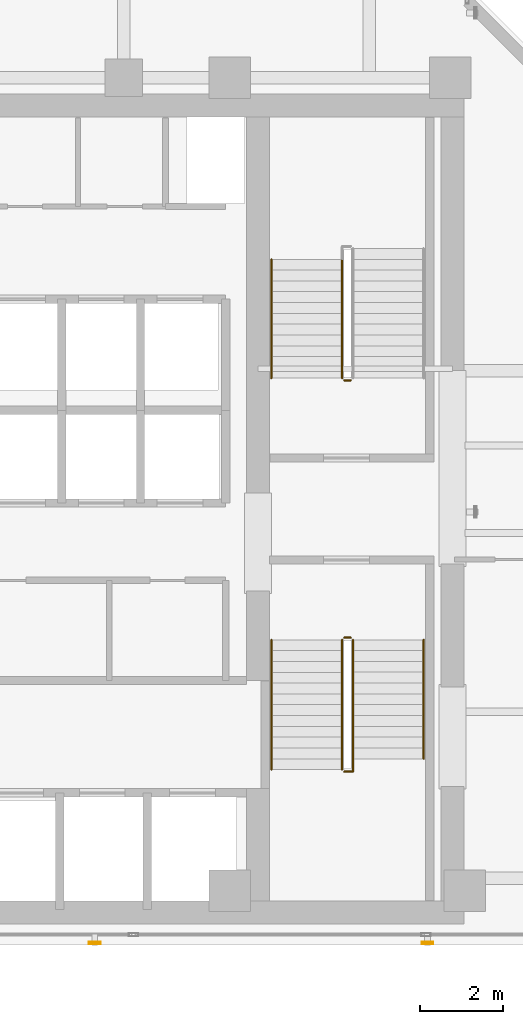
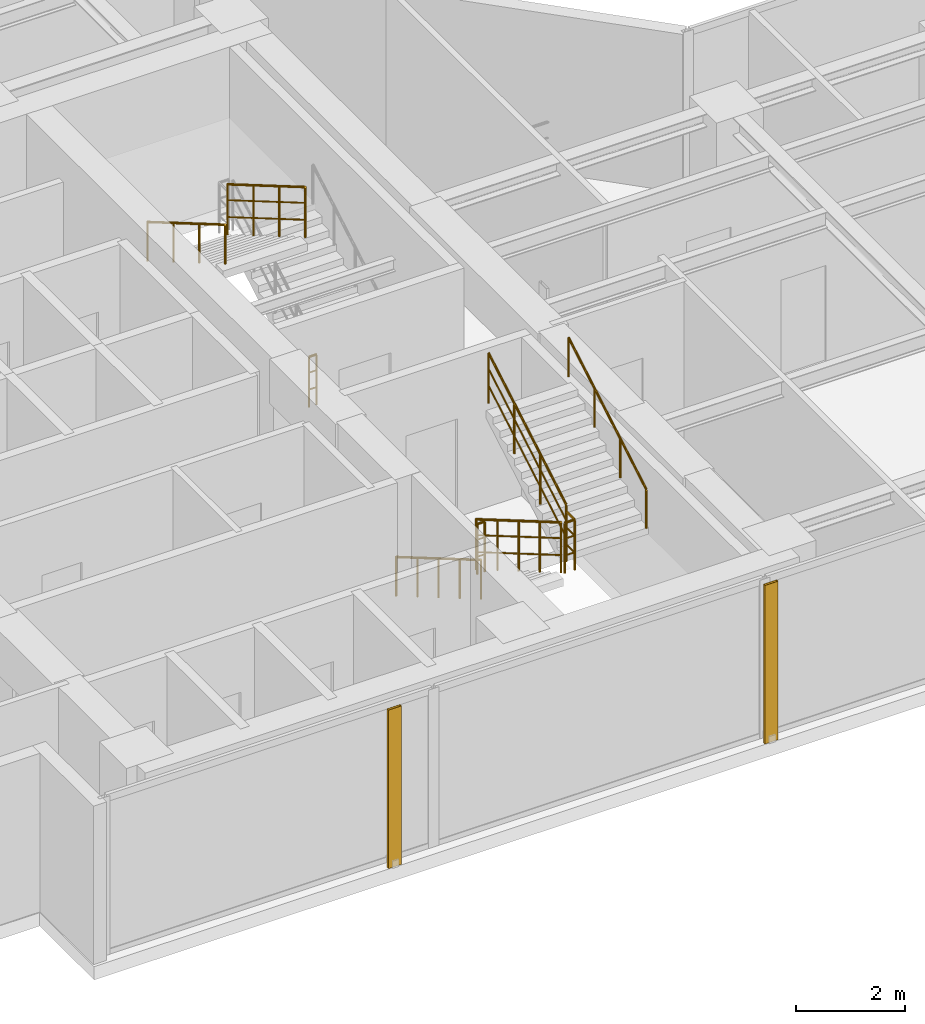
# One storey, part 20 of 25: 9 railings, 2 shading devices.
"""IFC4 building model written with IfcOpenShell, lengths in metres."""

from ifc_helpers import new_model, si_unit, direction, frame, origin, origin_2d, place, context, subcontext, project, spatial, hollow_rectangle, circle, extrude, material, material_profile, profile_set, type_object, element, save


model = new_model("IFC4")

# Units and contexts
model_context = context("Model", 3, precision=1e-05, world=origin(), true_north=direction((0.0, 1.0)))
body_context = subcontext(model_context, "Body", "Model", "MODEL_VIEW")
ifc_project = project(units=[si_unit("LENGTHUNIT", "METRE"), si_unit("AREAUNIT", "SQUARE_METRE"), si_unit("VOLUMEUNIT", "CUBIC_METRE"), si_unit("PLANEANGLEUNIT", "RADIAN"), si_unit("MASSUNIT", "GRAM", prefix="KILO")], contexts=[model_context])

# Site, building, storey
site_placement = place(None, origin())
site = spatial("IfcSite", under=ifc_project, at=site_placement, CompositionType="ELEMENT")
building_placement = place(site_placement, origin())
building = spatial("IfcBuilding", under=site, at=building_placement, Name="Kolvaren Waterfront Exchange", CompositionType="ELEMENT")
storey_placement = place(building_placement, frame((0.0, 0.0, 223.5)))
storey = spatial("IfcBuildingStorey", under=building, at=storey_placement, Name="L57", CompositionType="ELEMENT", Elevation=223.5)

# Shading devices
ifc_material_1 = material(Name="Anodised bronze aluminium 6063-T6", Category="aluminium")
ifc_material_profile = material_profile(ifc_material_1, hollow_rectangle(XDim=0.054931640625, YDim=0.280029296875, WallThickness=0.00439453125, at=origin_2d()), Name="BRZ-FIN-280x55x4.5")
ifc_profile_set = profile_set([ifc_material_profile], Name="Anodised bronze aluminium 6063-T6")
shading_device_type = type_object("IfcShadingDeviceType", Name="ARC-FIN-280", PredefinedType="USERDEFINED", material=ifc_profile_set)
for number, where, z_axis, x_axis, name in (
    (1, (12.199951171875, 3.639892578125, 0.0), (0.0, 0.0, 1.0), (0.0, -1.0, 0.0), "L57 anodised bronze solar shading fin FIN-L57-S1"),
    (2, (20.199951171875, 3.639892578125, 0.0), (0.0, 0.0, 1.0), (0.0, -1.0, 0.0), "L57 anodised bronze solar shading fin FIN-L57-S2"),
):
    element("IfcShadingDevice", number, at=place(storey_placement, frame(where, z_axis=z_axis, x_axis=x_axis)), inside=storey, type_object=shading_device_type, Name=name, ObjectType="SOLAR FIN", PredefinedType="USERDEFINED", context=body_context, shape_type="SweptSolid", body=[
        extrude(hollow_rectangle(XDim=0.054931640625, YDim=0.280029296875, WallThickness=0.00439453125, at=origin_2d()), origin(), (0.0, 0.0, 1.0), 3.56005859375),
    ])

# Railings
ifc_material_2 = material(Name="Stainless steel 316", Category="steel")
railing_type_1 = type_object("IfcRailingType", Name="ARC-GUARD-STAIR", PredefinedType="GUARDRAIL", material=ifc_material_2)
railing_1_placement = place(storey_placement, frame((18.14990234375, 10.929931640625, 0.152099609375)))
element("IfcRailing", 3, at=railing_1_placement, inside=storey, type_object=railing_type_1, Name="L57 ST1 stair guard 1", PredefinedType="GUARDRAIL", context=body_context, shape_type="SweptSolid", body=[
    extrude(circle(Radius=0.02392578125, at=origin_2d()), frame((0.0, 0.0, 1.1259765625), z_axis=(0.0, -0.86329090724, 0.504706656858), x_axis=(1.0, 0.0, 0.0)), (0.0, 0.0, 1.0), 3.614013671875),
    extrude(circle(Radius=0.01611328125, at=origin_2d()), frame((0.0, 0.0, 0.390869140625), z_axis=(0.0, -0.86329090724, 0.504706656858), x_axis=(1.0, 0.0, 0.0)), (0.0, 0.0, 1.0), 3.614013671875),
    extrude(circle(Radius=0.01611328125, at=origin_2d()), frame((0.0, 0.0, 0.7705078125), z_axis=(0.0, -0.86329090724, 0.504706656858), x_axis=(1.0, 0.0, 0.0)), (0.0, 0.0, 1.0), 3.614013671875),
    extrude(circle(Radius=0.02099609375, at=origin_2d()), origin(), (0.0, 0.0, 1.0), 1.101806640625),
    extrude(circle(Radius=0.02099609375, at=origin_2d()), frame((0.0, -0.780029296875, 0.4560546875)), (0.0, 0.0, 1.0), 1.101806640625),
    extrude(circle(Radius=0.02099609375, at=origin_2d()), frame((0.0, -1.56005859375, 0.912109375)), (0.0, 0.0, 1.0), 1.101806640625),
    extrude(circle(Radius=0.02099609375, at=origin_2d()), frame((0.0, -2.33984375, 1.367919921875)), (0.0, 0.0, 1.0), 1.101806640625),
    extrude(circle(Radius=0.02099609375, at=origin_2d()), frame((0.0, -3.119873046875, 1.823974609375)), (0.0, 0.0, 1.0), 1.101806640625),
])
railing_2_placement = place(storey_placement, frame((18.199951171875, 7.760009765625, 1.97607421875)))
element("IfcRailing", 4, at=railing_2_placement, inside=storey, type_object=railing_type_1, Name="L57 ST1 stair guard 2", PredefinedType="GUARDRAIL", context=body_context, shape_type="SweptSolid", body=[
    extrude(circle(Radius=0.02392578125, at=origin_2d()), frame((0.0, 0.0, 1.1259765625), z_axis=(1.0, 0.0, 0.0), x_axis=(0.0, 1.0, 0.0)), (0.0, 0.0, 1.0), 0.2099609375),
    extrude(circle(Radius=0.01611328125, at=origin_2d()), frame((0.0, 0.0, 0.390869140625), z_axis=(1.0, 0.0, 0.0), x_axis=(0.0, 1.0, 0.0)), (0.0, 0.0, 1.0), 0.2099609375),
    extrude(circle(Radius=0.01611328125, at=origin_2d()), frame((0.0, 0.0, 0.7705078125), z_axis=(1.0, 0.0, 0.0), x_axis=(0.0, 1.0, 0.0)), (0.0, 0.0, 1.0), 0.2099609375),
    extrude(circle(Radius=0.02392578125, at=origin_2d()), frame((0.2099609375, 0.0, 1.1259765625), z_axis=(0.0, 1.0, 0.0), x_axis=(-1.0, 0.0, 0.0)), (0.0, 0.0, 1.0), 0.31005859375),
    extrude(circle(Radius=0.01611328125, at=origin_2d()), frame((0.2099609375, 0.0, 0.390869140625), z_axis=(0.0, 1.0, 0.0), x_axis=(-1.0, 0.0, 0.0)), (0.0, 0.0, 1.0), 0.31005859375),
    extrude(circle(Radius=0.01611328125, at=origin_2d()), frame((0.2099609375, 0.0, 0.7705078125), z_axis=(0.0, 1.0, 0.0), x_axis=(-1.0, 0.0, 0.0)), (0.0, 0.0, 1.0), 0.31005859375),
    extrude(circle(Radius=0.02099609375, at=origin_2d()), origin(), (0.0, 0.0, 1.0), 1.101806640625),
    extrude(circle(Radius=0.02099609375, at=origin_2d()), frame((0.2099609375, 0.0, 0.0)), (0.0, 0.0, 1.0), 1.101806640625),
    extrude(circle(Radius=0.02099609375, at=origin_2d()), frame((0.2099609375, 0.31005859375, 0.0)), (0.0, 0.0, 1.0), 1.101806640625),
])
railing_3_placement = place(storey_placement, frame((18.409912109375, 8.070068359375, 2.1279296875)))
element("IfcRailing", 5, at=railing_3_placement, inside=storey, type_object=railing_type_1, Name="L57 ST1 stair guard 3", PredefinedType="GUARDRAIL", context=body_context, shape_type="SweptSolid", body=[
    extrude(circle(Radius=0.02392578125, at=origin_2d()), frame((0.0, 0.0, 1.1259765625), z_axis=(0.0, 0.863270611444, 0.50474137082), x_axis=(-1.0, 0.0, 0.0)), (0.0, 0.0, 1.0), 3.312744140625),
    extrude(circle(Radius=0.01611328125, at=origin_2d()), frame((0.0, 0.0, 0.390869140625), z_axis=(0.0, 0.863270611444, 0.50474137082), x_axis=(-1.0, 0.0, 0.0)), (0.0, 0.0, 1.0), 3.312744140625),
    extrude(circle(Radius=0.01611328125, at=origin_2d()), frame((0.0, 0.0, 0.7705078125), z_axis=(0.0, 0.863270611444, 0.50474137082), x_axis=(-1.0, 0.0, 0.0)), (0.0, 0.0, 1.0), 3.312744140625),
    extrude(circle(Radius=0.02099609375, at=origin_2d()), origin(), (0.0, 0.0, 1.0), 1.101806640625),
    extrude(circle(Radius=0.02099609375, at=origin_2d()), frame((0.0, 0.953369140625, 0.557373046875)), (0.0, 0.0, 1.0), 1.101806640625),
    extrude(circle(Radius=0.02099609375, at=origin_2d()), frame((0.0, 1.906494140625, 1.11474609375)), (0.0, 0.0, 1.0), 1.101806640625),
    extrude(circle(Radius=0.02099609375, at=origin_2d()), frame((0.0, 2.85986328125, 1.672119140625)), (0.0, 0.0, 1.0), 1.101806640625),
])
railing_4_placement = place(storey_placement, frame((18.199951171875, 10.97998046875, 0.0)))
element("IfcRailing", 6, at=railing_4_placement, inside=storey, type_object=railing_type_1, Name="L57 ST1 stair guard 4", PredefinedType="GUARDRAIL", context=body_context, shape_type="SweptSolid", body=[
    extrude(circle(Radius=0.02392578125, at=origin_2d()), frame((0.0, 0.0, 1.1259765625), z_axis=(1.0, 0.0, 0.0), x_axis=(0.0, 1.0, 0.0)), (0.0, 0.0, 1.0), 0.16015625),
    extrude(circle(Radius=0.01611328125, at=origin_2d()), frame((0.0, 0.0, 0.390869140625), z_axis=(1.0, 0.0, 0.0), x_axis=(0.0, 1.0, 0.0)), (0.0, 0.0, 1.0), 0.16015625),
    extrude(circle(Radius=0.01611328125, at=origin_2d()), frame((0.0, 0.0, 0.7705078125), z_axis=(1.0, 0.0, 0.0), x_axis=(0.0, 1.0, 0.0)), (0.0, 0.0, 1.0), 0.16015625),
    extrude(circle(Radius=0.02099609375, at=origin_2d()), origin(), (0.0, 0.0, 1.0), 1.101806640625),
    extrude(circle(Radius=0.02099609375, at=origin_2d()), frame((0.16015625, 0.0, 0.0)), (0.0, 0.0, 1.0), 1.101806640625),
])
railing_5_placement = place(storey_placement, frame((18.14990234375, 20.080078125, 2.1279296875)))
element("IfcRailing", 7, at=railing_5_placement, inside=storey, type_object=railing_type_1, Name="L57 ST2 stair guard 3", PredefinedType="GUARDRAIL", context=body_context, shape_type="SweptSolid", body=[
    extrude(circle(Radius=0.02392578125, at=origin_2d()), frame((0.0, 0.0, 1.1259765625), z_axis=(0.0, -0.863289384635, 0.504709261235), x_axis=(1.0, 0.0, 0.0)), (0.0, 0.0, 1.0), 3.31298828125),
    extrude(circle(Radius=0.01611328125, at=origin_2d()), frame((0.0, 0.0, 0.390869140625), z_axis=(0.0, -0.863289384635, 0.504709261235), x_axis=(1.0, 0.0, 0.0)), (0.0, 0.0, 1.0), 3.31298828125),
    extrude(circle(Radius=0.01611328125, at=origin_2d()), frame((0.0, 0.0, 0.7705078125), z_axis=(0.0, -0.863289384635, 0.504709261235), x_axis=(1.0, 0.0, 0.0)), (0.0, 0.0, 1.0), 3.31298828125),
    extrude(circle(Radius=0.02099609375, at=origin_2d()), origin(), (0.0, 0.0, 1.0), 1.101806640625),
    extrude(circle(Radius=0.02099609375, at=origin_2d()), frame((0.0, -0.953369140625, 0.557373046875)), (0.0, 0.0, 1.0), 1.101806640625),
    extrude(circle(Radius=0.02099609375, at=origin_2d()), frame((0.0, -1.90673828125, 1.11474609375)), (0.0, 0.0, 1.0), 1.101806640625),
    extrude(circle(Radius=0.02099609375, at=origin_2d()), frame((0.0, -2.860107421875, 1.672119140625)), (0.0, 0.0, 1.0), 1.101806640625),
])
railing_6_placement = place(storey_placement, frame((18.360107421875, 17.169921875, 0.0)))
element("IfcRailing", 8, at=railing_6_placement, inside=storey, type_object=railing_type_1, Name="L57 ST2 stair guard 4", PredefinedType="GUARDRAIL", context=body_context, shape_type="SweptSolid", body=[
    extrude(circle(Radius=0.02392578125, at=origin_2d()), frame((0.0, 0.0, 1.1259765625), z_axis=(-1.0, 0.0, 0.0), x_axis=(0.0, -1.0, 0.0)), (0.0, 0.0, 1.0), 0.16015625),
    extrude(circle(Radius=0.01611328125, at=origin_2d()), frame((0.0, 0.0, 0.390869140625), z_axis=(-1.0, 0.0, 0.0), x_axis=(0.0, -1.0, 0.0)), (0.0, 0.0, 1.0), 0.16015625),
    extrude(circle(Radius=0.01611328125, at=origin_2d()), frame((0.0, 0.0, 0.7705078125), z_axis=(-1.0, 0.0, 0.0), x_axis=(0.0, -1.0, 0.0)), (0.0, 0.0, 1.0), 0.16015625),
    extrude(circle(Radius=0.02099609375, at=origin_2d()), origin(), (0.0, 0.0, 1.0), 1.101806640625),
    extrude(circle(Radius=0.02099609375, at=origin_2d()), frame((-0.16015625, 0.0, 0.0)), (0.0, 0.0, 1.0), 1.101806640625),
])
railing_type_2 = type_object("IfcRailingType", Name="ARC-HANDRAIL-900", PredefinedType="HANDRAIL", material=ifc_material_2)
railing_7_placement = place(storey_placement, frame((16.449951171875, 10.929931640625, 0.152099609375)))
element("IfcRailing", 9, at=railing_7_placement, inside=storey, type_object=railing_type_2, Name="L57 ST1 stair handrail 1", PredefinedType="HANDRAIL", context=body_context, shape_type="SweptSolid", body=[
    extrude(circle(Radius=0.02392578125, at=origin_2d()), frame((0.0, 0.0, 0.8759765625), z_axis=(0.0, -0.86329090724, 0.504706656858), x_axis=(1.0, 0.0, 0.0)), (0.0, 0.0, 1.0), 3.614013671875),
    extrude(circle(Radius=0.02099609375, at=origin_2d()), origin(), (0.0, 0.0, 1.0), 0.851806640625),
    extrude(circle(Radius=0.02099609375, at=origin_2d()), frame((0.0, -0.780029296875, 0.4560546875)), (0.0, 0.0, 1.0), 0.851806640625),
    extrude(circle(Radius=0.02099609375, at=origin_2d()), frame((0.0, -1.56005859375, 0.912109375)), (0.0, 0.0, 1.0), 0.851806640625),
    extrude(circle(Radius=0.02099609375, at=origin_2d()), frame((0.0, -2.33984375, 1.367919921875)), (0.0, 0.0, 1.0), 0.851806640625),
    extrude(circle(Radius=0.02099609375, at=origin_2d()), frame((0.0, -3.119873046875, 1.823974609375)), (0.0, 0.0, 1.0), 0.851806640625),
])
railing_8_placement = place(storey_placement, frame((20.110107421875, 8.070068359375, 2.1279296875)))
element("IfcRailing", 10, at=railing_8_placement, inside=storey, type_object=railing_type_2, Name="L57 ST1 stair handrail 2", PredefinedType="HANDRAIL", context=body_context, shape_type="SweptSolid", body=[
    extrude(circle(Radius=0.02392578125, at=origin_2d()), frame((0.0, 0.0, 0.8759765625), z_axis=(0.0, 0.863270611444, 0.50474137082), x_axis=(-1.0, 0.0, 0.0)), (0.0, 0.0, 1.0), 3.312744140625),
    extrude(circle(Radius=0.02099609375, at=origin_2d()), origin(), (0.0, 0.0, 1.0), 0.851806640625),
    extrude(circle(Radius=0.02099609375, at=origin_2d()), frame((0.0, 0.953369140625, 0.557373046875)), (0.0, 0.0, 1.0), 0.851806640625),
    extrude(circle(Radius=0.02099609375, at=origin_2d()), frame((0.0, 1.906494140625, 1.11474609375)), (0.0, 0.0, 1.0), 0.851806640625),
    extrude(circle(Radius=0.02099609375, at=origin_2d()), frame((0.0, 2.85986328125, 1.672119140625)), (0.0, 0.0, 1.0), 0.851806640625),
])
railing_9_placement = place(storey_placement, frame((16.449951171875, 20.080078125, 2.1279296875)))
element("IfcRailing", 11, at=railing_9_placement, inside=storey, type_object=railing_type_2, Name="L57 ST2 stair handrail 2", PredefinedType="HANDRAIL", context=body_context, shape_type="SweptSolid", body=[
    extrude(circle(Radius=0.02392578125, at=origin_2d()), frame((0.0, 0.0, 0.8759765625), z_axis=(0.0, -0.863289384635, 0.504709261235), x_axis=(1.0, 0.0, 0.0)), (0.0, 0.0, 1.0), 3.31298828125),
    extrude(circle(Radius=0.02099609375, at=origin_2d()), origin(), (0.0, 0.0, 1.0), 0.851806640625),
    extrude(circle(Radius=0.02099609375, at=origin_2d()), frame((0.0, -0.953369140625, 0.557373046875)), (0.0, 0.0, 1.0), 0.851806640625),
    extrude(circle(Radius=0.02099609375, at=origin_2d()), frame((0.0, -1.90673828125, 1.11474609375)), (0.0, 0.0, 1.0), 0.851806640625),
    extrude(circle(Radius=0.02099609375, at=origin_2d()), frame((0.0, -2.860107421875, 1.672119140625)), (0.0, 0.0, 1.0), 0.851806640625),
])

save(model, "model.ifc")
